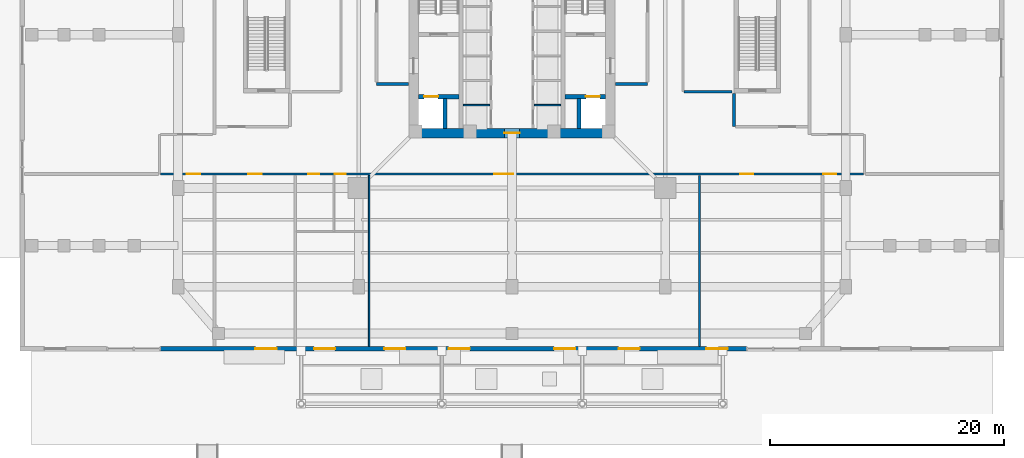
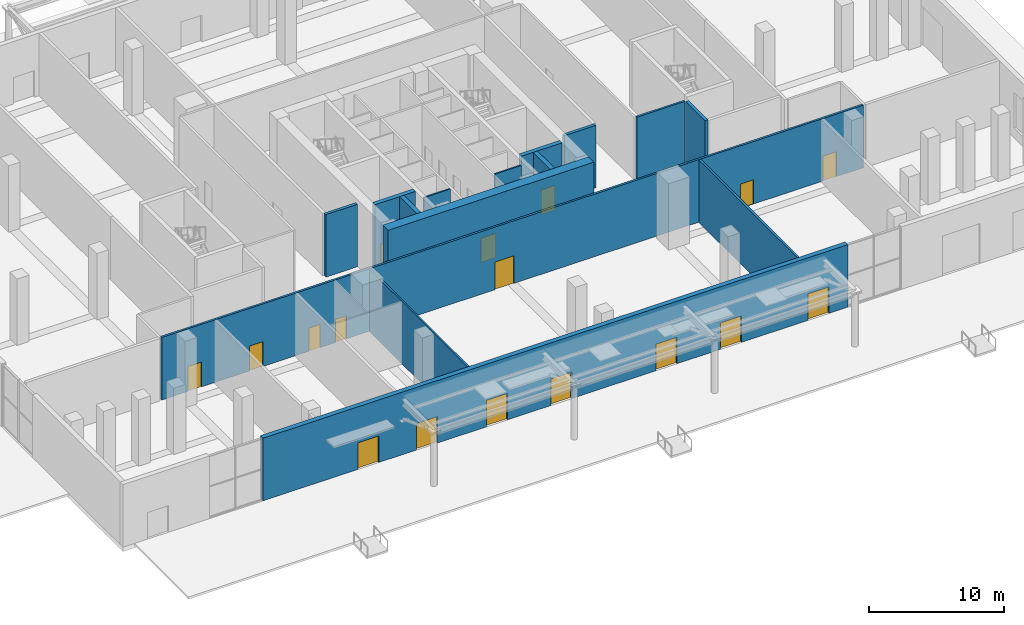
# One storey, part 15 of 25: 17 doors, 15 walls, 17 openings.
"""IFC4 building model written with IfcOpenShell, lengths in metres."""

from ifc_helpers import new_model, si_unit, direction, frame, frame_2d, origin, place, context, subcontext, project, spatial, rectangle, extrude, source, transform, mapped, material, layer, layer_set, type_object, element, fill, save


model = new_model("IFC4")

# Units and contexts
model_context = context("Model", 3, precision=1e-05, world=origin(), true_north=direction((0.0, 1.0)))
body_context = subcontext(model_context, "Body", "Model", "MODEL_VIEW")
ifc_project = project(units=[si_unit("LENGTHUNIT", "METRE"), si_unit("AREAUNIT", "SQUARE_METRE"), si_unit("VOLUMEUNIT", "CUBIC_METRE"), si_unit("PLANEANGLEUNIT", "RADIAN"), si_unit("MASSUNIT", "GRAM", prefix="KILO"), si_unit("THERMODYNAMICTEMPERATUREUNIT", "KELVIN")], contexts=[model_context])

# Site, building, storey
site_placement = place(None, origin())
site = spatial("IfcSite", under=ifc_project, at=site_placement, CompositionType="ELEMENT")
building_placement = place(site_placement, origin())
building = spatial("IfcBuilding", under=site, at=building_placement, Name="Kosmvard Interchange Tower", CompositionType="ELEMENT")
storey_placement = place(building_placement, origin())
storey = spatial("IfcBuildingStorey", under=building, at=storey_placement, Name="L00", CompositionType="ELEMENT", Elevation=0.0)

# Wall, openings, doors
ifc_material_1 = material(Name="Fire-rated gypsum partition system")
ifc_layer_1 = layer(ifc_material_1, 0.179931640625, Name="Fire-rated gypsum partition system")
ifc_layer_set_1 = layer_set([ifc_layer_1], Name="Fire-rated gypsum partition system")
wall_type_1 = type_object("IfcWallType", Name="Corridor & Hotel Compartment Partition 180", PredefinedType="PARTITIONING", material=ifc_layer_set_1)
wall_1_placement = place(storey_placement, frame((-30.0, -11.889892578125, 0.0), z_axis=(0.0, 0.0, 1.0), x_axis=(1.0, 0.0, 0.0)))
wall_1 = element("IfcWall", 1, at=wall_1_placement, inside=storey, type_object=wall_type_1, Name="L00 Partition W-CS", PredefinedType="PARTITIONING", context=body_context, shape_type="SweptSolid", body=[
    extrude(rectangle(XDim=60.0, YDim=0.179931640625, at=frame_2d((30.0, 0.0))), origin(), (0.0, 0.0, 1.0), 5.659912109375),
])
opening_1_placement = place(wall_1_placement, frame((2.25, 0.0, 0.0)))
opening_1 = element("IfcOpeningElement", 2, at=opening_1_placement, cuts=wall_1, Name="Opening L00-D01", PredefinedType="OPENING", context=body_context, shape_type="SweptSolid", body=[
    extrude(rectangle(XDim=1.14990234375, YDim=2.25, at=frame_2d((0.574951171875, 1.125))), frame((0.0, 0.10009765625, 0.0), z_axis=(0.0, -1.0, 0.0), x_axis=(1.0, 0.0, 0.0)), (0.0, 0.0, 1.0), 0.199951171875),
])
opening_2_placement = place(wall_1_placement, frame((7.5, 0.0, 0.0)))
opening_2 = element("IfcOpeningElement", 3, at=opening_2_placement, cuts=wall_1, Name="Opening L00-D02", PredefinedType="OPENING", context=body_context, shape_type="SweptSolid", body=[
    extrude(rectangle(XDim=1.14990234375, YDim=2.25, at=frame_2d((0.574951171875, 1.125))), frame((0.0, 0.10009765625, 0.0), z_axis=(0.0, -1.0, 0.0), x_axis=(1.0, 0.0, 0.0)), (0.0, 0.0, 1.0), 0.199951171875),
])
opening_3_placement = place(wall_1_placement, frame((12.60009765625, 0.0, 0.0)))
opening_3 = element("IfcOpeningElement", 4, at=opening_3_placement, cuts=wall_1, Name="Opening L00-D03", PredefinedType="OPENING", context=body_context, shape_type="SweptSolid", body=[
    extrude(rectangle(XDim=0.949951171875, YDim=2.10009765625, at=frame_2d((0.47509765625, 1.050048828125))), frame((0.0, 0.10009765625, 0.0), z_axis=(0.0, -1.0, 0.0), x_axis=(1.0, 0.0, 0.0)), (0.0, 0.0, 1.0), 0.199951171875),
])
opening_4_placement = place(wall_1_placement, frame((14.85009765625, 0.0, 0.0)))
opening_4 = element("IfcOpeningElement", 5, at=opening_4_placement, cuts=wall_1, Name="Opening L00-D04", PredefinedType="OPENING", context=body_context, shape_type="SweptSolid", body=[
    extrude(rectangle(XDim=0.949951171875, YDim=2.10009765625, at=frame_2d((0.47509765625, 1.050048828125))), frame((0.0, 0.10009765625, 0.0), z_axis=(0.0, -1.0, 0.0), x_axis=(1.0, 0.0, 0.0)), (0.0, 0.0, 1.0), 0.199951171875),
])
opening_5_placement = place(wall_1_placement, frame((28.5, 0.0, 0.0)))
opening_5 = element("IfcOpeningElement", 6, at=opening_5_placement, cuts=wall_1, Name="Opening L00-D05", PredefinedType="OPENING", context=body_context, shape_type="SweptSolid", body=[
    extrude(rectangle(XDim=1.60009765625, YDim=2.5, at=frame_2d((0.800048828125, 1.25))), frame((0.0, 0.10009765625, 0.0), z_axis=(0.0, -1.0, 0.0), x_axis=(1.0, 0.0, 0.0)), (0.0, 0.0, 1.0), 0.199951171875),
])
opening_6_placement = place(wall_1_placement, frame((49.5, 0.0, 0.0)))
opening_6 = element("IfcOpeningElement", 7, at=opening_6_placement, cuts=wall_1, Name="Opening L00-D06", PredefinedType="OPENING", context=body_context, shape_type="SweptSolid", body=[
    extrude(rectangle(XDim=1.10009765625, YDim=2.199951171875, at=frame_2d((0.550048828125, 1.10009765625))), frame((0.0, 0.10009765625, 0.0), z_axis=(0.0, -1.0, 0.0), x_axis=(1.0, 0.0, 0.0)), (0.0, 0.0, 1.0), 0.199951171875),
])
opening_7_placement = place(wall_1_placement, frame((56.550048828125, 0.0, 0.0)))
opening_7 = element("IfcOpeningElement", 8, at=opening_7_placement, cuts=wall_1, Name="Opening L00-D07", PredefinedType="OPENING", context=body_context, shape_type="SweptSolid", body=[
    extrude(rectangle(XDim=1.14990234375, YDim=2.25, at=frame_2d((0.574951171875, 1.125))), frame((0.0, 0.10009765625, 0.0), z_axis=(0.0, -1.0, 0.0), x_axis=(1.0, 0.0, 0.0)), (0.0, 0.0, 1.0), 0.199951171875),
])
ifc_material_2 = material(Name="Painted fire-rated steel leaf", Category="steel")
door_type_1 = type_object("IfcDoorType", Name="Plant & Riser Fire Door 1150x2250 EI60", OperationType="NOTDEFINED", PredefinedType="DOOR", material=ifc_material_2)
shared_shape_1 = source(origin(), body_context, "Body", "SweptSolid", [
    extrude(rectangle(XDim=1.14990234375, YDim=2.25, at=frame_2d((0.574951171875, 1.125))), frame((0.0, 0.02490234375, 0.0), z_axis=(0.0, -1.0, 0.0), x_axis=(1.0, 0.0, 0.0)), (0.0, 0.0, 1.0), 0.050048828125),
])
door_1_placement = place(opening_1_placement, frame((1.14990234375, 0.0, 0.0), z_axis=(0.0, 0.0, 1.0), x_axis=(-1.0, 0.0, 0.0)))
door_1 = element("IfcDoor", 9, at=door_1_placement, inside=storey, type_object=door_type_1, Name="L00 Interior Door 1", OperationType="SINGLE_SWING_LEFT", OverallHeight=2.25, OverallWidth=1.14990234375, PredefinedType="DOOR", context=body_context, shape_type="MappedRepresentation", body=[
    mapped(shared_shape_1, transform((0.0, 0.0, 0.0), scale=1.0)),
])
fill(opening_1, door_1)
door_2_placement = place(opening_2_placement, frame((1.14990234375, 0.0, 0.0), z_axis=(0.0, 0.0, 1.0), x_axis=(-1.0, 0.0, 0.0)))
door_2 = element("IfcDoor", 10, at=door_2_placement, inside=storey, type_object=door_type_1, Name="L00 Interior Door 2", OperationType="SINGLE_SWING_RIGHT", OverallHeight=2.25, OverallWidth=1.14990234375, PredefinedType="DOOR", context=body_context, shape_type="MappedRepresentation", body=[
    mapped(shared_shape_1, transform((0.0, 0.0, 0.0), scale=1.0)),
])
fill(opening_2, door_2)
door_3_placement = place(opening_7_placement, frame((1.14990234375, 0.0, 0.0), z_axis=(0.0, 0.0, 1.0), x_axis=(-1.0, 0.0, 0.0)))
door_3 = element("IfcDoor", 11, at=door_3_placement, inside=storey, type_object=door_type_1, Name="L00 Interior Door 7", OperationType="SINGLE_SWING_LEFT", OverallHeight=2.25, OverallWidth=1.14990234375, PredefinedType="DOOR", context=body_context, shape_type="MappedRepresentation", body=[
    mapped(shared_shape_1, transform((0.0, 0.0, 0.0), scale=1.0)),
])
fill(opening_7, door_3)
ifc_material_3 = material(Name="Laminated moisture-resistant timber", Category="wood")
door_type_2 = type_object("IfcDoorType", Name="Accessible Washroom Door 950x2100", OperationType="NOTDEFINED", PredefinedType="DOOR", material=ifc_material_3)
shared_shape_2 = source(origin(), body_context, "Body", "SweptSolid", [
    extrude(rectangle(XDim=0.949951171875, YDim=2.10009765625, at=frame_2d((0.47509765625, 1.050048828125))), frame((0.0, 0.02490234375, 0.0), z_axis=(0.0, -1.0, 0.0), x_axis=(1.0, 0.0, 0.0)), (0.0, 0.0, 1.0), 0.050048828125),
])
door_4_placement = place(opening_3_placement, frame((0.949951171875, 0.0, 0.0), z_axis=(0.0, 0.0, 1.0), x_axis=(-1.0, 0.0, 0.0)))
door_4 = element("IfcDoor", 12, at=door_4_placement, inside=storey, type_object=door_type_2, Name="L00 Interior Door 3", OperationType="SINGLE_SWING_LEFT", OverallHeight=2.10009765625, OverallWidth=0.949951171875, PredefinedType="DOOR", context=body_context, shape_type="MappedRepresentation", body=[
    mapped(shared_shape_2, transform((0.0, 0.0, 0.0), scale=1.0)),
])
fill(opening_3, door_4)
door_5_placement = place(opening_4_placement, frame((0.949951171875, 0.0, 0.0), z_axis=(0.0, 0.0, 1.0), x_axis=(-1.0, 0.0, 0.0)))
door_5 = element("IfcDoor", 13, at=door_5_placement, inside=storey, type_object=door_type_2, Name="L00 Interior Door 4", OperationType="SINGLE_SWING_RIGHT", OverallHeight=2.10009765625, OverallWidth=0.949951171875, PredefinedType="DOOR", context=body_context, shape_type="MappedRepresentation", body=[
    mapped(shared_shape_2, transform((0.0, 0.0, 0.0), scale=1.0)),
])
fill(opening_4, door_5)
ifc_material_4 = material(Name="Engineered oak fire-rated timber", Category="wood")
door_type_3 = type_object("IfcDoorType", Name="Office Suite Entrance Door 1100x2200 FD30S", OperationType="NOTDEFINED", PredefinedType="DOOR", material=ifc_material_4)
shared_shape_3 = source(origin(), body_context, "Body", "SweptSolid", [
    extrude(rectangle(XDim=1.10009765625, YDim=2.199951171875, at=frame_2d((0.550048828125, 1.10009765625))), frame((0.0, 0.02490234375, 0.0), z_axis=(0.0, -1.0, 0.0), x_axis=(1.0, 0.0, 0.0)), (0.0, 0.0, 1.0), 0.050048828125),
])
door_6_placement = place(opening_6_placement, frame((1.10009765625, 0.0, 0.0), z_axis=(0.0, 0.0, 1.0), x_axis=(-1.0, 0.0, 0.0)))
door_6 = element("IfcDoor", 14, at=door_6_placement, inside=storey, type_object=door_type_3, Name="L00 Interior Door 6", OperationType="SINGLE_SWING_RIGHT", OverallHeight=2.199951171875, OverallWidth=1.10009765625, PredefinedType="DOOR", context=body_context, shape_type="MappedRepresentation", body=[
    mapped(shared_shape_3, transform((0.0, 0.0, 0.0), scale=1.0)),
])
fill(opening_6, door_6)
ifc_material_5 = material(Name="Anodised aluminium and safety glass", Category="aluminium")
door_type_4 = type_object("IfcDoorType", Name="Concourse Entrance Glazed Door 1600x2500", OperationType="NOTDEFINED", PredefinedType="DOOR", material=ifc_material_5)
shared_shape_4 = source(origin(), body_context, "Body", "SweptSolid", [
    extrude(rectangle(XDim=1.60009765625, YDim=2.5, at=frame_2d((0.800048828125, 1.25))), frame((0.0, 0.02490234375, 0.0), z_axis=(0.0, -1.0, 0.0), x_axis=(1.0, 0.0, 0.0)), (0.0, 0.0, 1.0), 0.050048828125),
])
door_7_placement = place(opening_5_placement, frame((1.60009765625, 0.0, 0.0), z_axis=(0.0, 0.0, 1.0), x_axis=(-1.0, 0.0, 0.0)))
door_7 = element("IfcDoor", 15, at=door_7_placement, inside=storey, type_object=door_type_4, Name="L00 Interior Door 5", OperationType="SINGLE_SWING_LEFT", OverallHeight=2.5, OverallWidth=1.60009765625, PredefinedType="DOOR", context=body_context, shape_type="MappedRepresentation", body=[
    mapped(shared_shape_4, transform((0.0, 0.0, 0.0), scale=1.0)),
])
fill(opening_5, door_7)

# Walls
wall_2_placement = place(storey_placement, frame((14.679931640625, -4.860107421875, 0.0), z_axis=(0.0, 0.0, 1.0), x_axis=(1.0, 0.0, 0.0)))
element("IfcWall", 16, at=wall_2_placement, inside=storey, type_object=wall_type_1, Name="L00 Partition W-CNE", PredefinedType="PARTITIONING", context=body_context, shape_type="SweptSolid", body=[
    extrude(rectangle(XDim=4.1201171875, YDim=0.179931640625, at=frame_2d((2.06005859375, 0.0))), origin(), (0.0, 0.0, 1.0), 5.659912109375),
])
wall_3_placement = place(storey_placement, frame((16.0, -26.597900390625, 0.0), z_axis=(0.0, 0.0, 1.0), x_axis=(0.0, 1.0, 0.0)))
element("IfcWall", 17, at=wall_3_placement, inside=storey, type_object=wall_type_1, Name="L00 Partition W-HL1", PredefinedType="PARTITIONING", context=body_context, shape_type="SweptSolid", body=[
    extrude(rectangle(XDim=14.597900390625, YDim=0.179931640625, at=frame_2d((7.298828125, 0.0))), origin(), (0.0, 0.0, 1.0), 5.659912109375),
])
ifc_material_6 = material(Name="Concrete blockwork masonry", Category="masonry")
ifc_layer_2 = layer(ifc_material_6, 0.25, Name="Concrete blockwork masonry")
ifc_layer_set_2 = layer_set([ifc_layer_2], Name="Concrete blockwork masonry")
wall_type_2 = type_object("IfcWallType", Name="Exit Passage & Firefighting Lobby Wall 250", PredefinedType="PARTITIONING", material=ifc_layer_set_2)
for number, where, z_axis, x_axis, name in (
    (18, (-11.550048828125, -4.199951171875, 0.0), (0.0, 0.0, 1.0), (1.0, 0.0, 0.0), "L00 Exit Passageway W Return"),
    (19, (8.85009765625, -4.199951171875, 0.0), (0.0, 0.0, 1.0), (1.0, 0.0, 0.0), "L00 Exit Passageway E Return"),
):
    element("IfcWall", number, at=place(storey_placement, frame(where, z_axis=z_axis, x_axis=x_axis)), inside=storey, type_object=wall_type_2, Name=name, PredefinedType="PARTITIONING", context=body_context, shape_type="SweptSolid", body=[
        extrude(rectangle(XDim=2.699951171875, YDim=0.25, at=frame_2d((1.35009765625, 0.0))), origin(), (0.0, 0.0, 1.0), 5.659912109375),
    ])
wall_4_placement = place(storey_placement, frame((18.9599609375, -7.85009765625, 0.0), z_axis=(0.0, 0.0, 1.0), x_axis=(0.0, 1.0, 0.0)))
element("IfcWall", 20, at=wall_4_placement, inside=storey, type_object=wall_type_2, Name="L00 Partition EP4W1", PredefinedType="PARTITIONING", context=body_context, shape_type="SweptSolid", body=[
    extrude(rectangle(XDim=2.85009765625, YDim=0.25, at=frame_2d((1.425048828125, 0.0))), origin(), (0.0, 0.0, 1.0), 5.659912109375),
])

# Wall, opening, door
ifc_material_7 = material(Name="Concrete C80/95", Category="concrete")
ifc_layer_3 = layer(ifc_material_7, 0.800048828125, Name="Concrete C80/95")
ifc_layer_set_3 = layer_set([ifc_layer_3], Name="Concrete C80/95")
wall_type_3 = type_object("IfcWallType", Name="Lower Core Shear Wall 800 C80/95", PredefinedType="SHEAR", material=ifc_layer_set_3)
wall_5_placement = place(storey_placement, frame((-8.800048828125, -8.39990234375, 0.0), z_axis=(0.0, 0.0, 1.0), x_axis=(1.0, 0.0, 0.0)))
wall_5 = element("IfcWall", 21, at=wall_5_placement, inside=storey, type_object=wall_type_3, Name="L00 Core Shear Wall CW-S", PredefinedType="SHEAR", context=body_context, shape_type="SweptSolid", body=[
    extrude(rectangle(XDim=17.60009765625, YDim=0.800048828125, at=frame_2d((8.800048828125, 0.0))), origin(), (0.0, 0.0, 1.0), 6.0),
])
opening_8_placement = place(wall_5_placement, frame((8.14990234375, 0.0, 0.0)))
opening_8 = element("IfcOpeningElement", 22, at=opening_8_placement, cuts=wall_5, Name="Opening L00-LD0", PredefinedType="OPENING", context=body_context, shape_type="SweptSolid", body=[
    extrude(rectangle(XDim=1.300048828125, YDim=2.199951171875, at=frame_2d((0.64990234375, 1.10009765625))), frame((0.0, 0.41015625, 0.0), z_axis=(0.0, -1.0, 0.0), x_axis=(1.0, 0.0, 0.0)), (0.0, 0.0, 1.0), 0.820068359375),
])
door_type_5 = type_object("IfcDoorType", Name="Firefighting Lobby Door 1300x2200 EI60", OperationType="NOTDEFINED", PredefinedType="DOOR", material=ifc_material_2)
shared_shape_5 = source(origin(), body_context, "Body", "SweptSolid", [
    extrude(rectangle(XDim=1.300048828125, YDim=2.199951171875, at=frame_2d((0.64990234375, 1.10009765625))), frame((0.0, 0.02490234375, 0.0), z_axis=(0.0, -1.0, 0.0), x_axis=(1.0, 0.0, 0.0)), (0.0, 0.0, 1.0), 0.050048828125),
])
door_8_placement = place(opening_8_placement, frame((1.300048828125, 0.0, 0.0), z_axis=(0.0, 0.0, 1.0), x_axis=(-1.0, 0.0, 0.0)))
door_8 = element("IfcDoor", 23, at=door_8_placement, inside=storey, type_object=door_type_5, Name="L00 Passenger Lift Lobby South Door", OperationType="SINGLE_SWING_RIGHT", OverallHeight=2.199951171875, OverallWidth=1.300048828125, PredefinedType="DOOR", context=body_context, shape_type="MappedRepresentation", body=[
    mapped(shared_shape_5, transform((0.0, 0.0, 0.0), scale=1.0)),
])
fill(opening_8, door_8)

# Wall, openings, doors
ifc_material_8 = material(Name="Precast concrete C45/55", Category="concrete")
ifc_layer_4 = layer(ifc_material_8, 0.39990234375, Name="Precast concrete C45/55")
ifc_layer_set_4 = layer_set([ifc_layer_4], Name="Precast concrete C45/55")
wall_type_4 = type_object("IfcWallType", Name="Podium Precast Stone Pier Wall 400 C45/55", PredefinedType="STANDARD", material=ifc_layer_set_4)
wall_6_placement = place(storey_placement, frame((-30.0, -26.800048828125, 0.0), z_axis=(0.0, 0.0, 1.0), x_axis=(1.0, 0.0, 0.0)))
wall_6 = element("IfcWall", 24, at=wall_6_placement, inside=storey, type_object=wall_type_4, Name="L00 Exterior Precast Wall EW-S2", PredefinedType="STANDARD", context=body_context, shape_type="SweptSolid", body=[
    extrude(rectangle(XDim=50.0, YDim=0.39990234375, at=frame_2d((25.0, 0.0))), origin(), (0.0, 0.0, 1.0), 5.659912109375),
])
opening_9_placement = place(wall_6_placement, frame((8.10009765625, 0.0, 0.0)))
opening_9 = element("IfcOpeningElement", 25, at=opening_9_placement, cuts=wall_6, Name="Opening L00-EXS1", PredefinedType="OPENING", context=body_context, shape_type="SweptSolid", body=[
    extrude(rectangle(XDim=1.800048828125, YDim=2.39990234375, at=frame_2d((0.89990234375, 1.199951171875))), frame((0.0, 0.2099609375, 0.0), z_axis=(0.0, -1.0, 0.0), x_axis=(1.0, 0.0, 0.0)), (0.0, 0.0, 1.0), 0.419921875),
])
opening_10_placement = place(wall_6_placement, frame((13.10009765625, 0.0, 0.0)))
opening_10 = element("IfcOpeningElement", 26, at=opening_10_placement, cuts=wall_6, Name="Opening L00-EXS2", PredefinedType="OPENING", context=body_context, shape_type="SweptSolid", body=[
    extrude(rectangle(XDim=1.800048828125, YDim=2.39990234375, at=frame_2d((0.89990234375, 1.199951171875))), frame((0.0, 0.2099609375, 0.0), z_axis=(0.0, -1.0, 0.0), x_axis=(1.0, 0.0, 0.0)), (0.0, 0.0, 1.0), 0.419921875),
])
opening_11_placement = place(wall_6_placement, frame((19.10009765625, 0.0, 0.0)))
opening_11 = element("IfcOpeningElement", 27, at=opening_11_placement, cuts=wall_6, Name="Opening L00-EXS3", PredefinedType="OPENING", context=body_context, shape_type="SweptSolid", body=[
    extrude(rectangle(XDim=1.800048828125, YDim=2.39990234375, at=frame_2d((0.89990234375, 1.199951171875))), frame((0.0, 0.2099609375, 0.0), z_axis=(0.0, -1.0, 0.0), x_axis=(1.0, 0.0, 0.0)), (0.0, 0.0, 1.0), 0.419921875),
])
opening_12_placement = place(wall_6_placement, frame((24.60009765625, 0.0, 0.0)))
opening_12 = element("IfcOpeningElement", 28, at=opening_12_placement, cuts=wall_6, Name="Opening L00-EXS4", PredefinedType="OPENING", context=body_context, shape_type="SweptSolid", body=[
    extrude(rectangle(XDim=1.800048828125, YDim=2.39990234375, at=frame_2d((0.89990234375, 1.199951171875))), frame((0.0, 0.2099609375, 0.0), z_axis=(0.0, -1.0, 0.0), x_axis=(1.0, 0.0, 0.0)), (0.0, 0.0, 1.0), 0.419921875),
])
opening_13_placement = place(wall_6_placement, frame((33.60009765625, 0.0, 0.0)))
opening_13 = element("IfcOpeningElement", 29, at=opening_13_placement, cuts=wall_6, Name="Opening L00-EXS5", PredefinedType="OPENING", context=body_context, shape_type="SweptSolid", body=[
    extrude(rectangle(XDim=1.800048828125, YDim=2.39990234375, at=frame_2d((0.89990234375, 1.199951171875))), frame((0.0, 0.2099609375, 0.0), z_axis=(0.0, -1.0, 0.0), x_axis=(1.0, 0.0, 0.0)), (0.0, 0.0, 1.0), 0.419921875),
])
opening_14_placement = place(wall_6_placement, frame((39.10009765625, 0.0, 0.0)))
opening_14 = element("IfcOpeningElement", 30, at=opening_14_placement, cuts=wall_6, Name="Opening L00-EXS6", PredefinedType="OPENING", context=body_context, shape_type="SweptSolid", body=[
    extrude(rectangle(XDim=1.800048828125, YDim=2.39990234375, at=frame_2d((0.89990234375, 1.199951171875))), frame((0.0, 0.2099609375, 0.0), z_axis=(0.0, -1.0, 0.0), x_axis=(1.0, 0.0, 0.0)), (0.0, 0.0, 1.0), 0.419921875),
])
opening_15_placement = place(wall_6_placement, frame((46.60009765625, 0.0, 0.0)))
opening_15 = element("IfcOpeningElement", 31, at=opening_15_placement, cuts=wall_6, Name="Opening L00-EXS7", PredefinedType="OPENING", context=body_context, shape_type="SweptSolid", body=[
    extrude(rectangle(XDim=1.800048828125, YDim=2.39990234375, at=frame_2d((0.89990234375, 1.199951171875))), frame((0.0, 0.2099609375, 0.0), z_axis=(0.0, -1.0, 0.0), x_axis=(1.0, 0.0, 0.0)), (0.0, 0.0, 1.0), 0.419921875),
])
door_type_6 = type_object("IfcDoorType", Name="Final Exit Discharge Door 1800x2400 FD60S", OperationType="NOTDEFINED", PredefinedType="DOOR", material=ifc_material_5)
shared_shape_6 = source(origin(), body_context, "Body", "SweptSolid", [
    extrude(rectangle(XDim=1.800048828125, YDim=2.39990234375, at=frame_2d((0.89990234375, 1.199951171875))), frame((0.0, 0.02490234375, 0.0), z_axis=(0.0, -1.0, 0.0), x_axis=(1.0, 0.0, 0.0)), (0.0, 0.0, 1.0), 0.050048828125),
])
door_9_placement = place(opening_9_placement, frame((1.800048828125, 0.0, 0.0), z_axis=(0.0, 0.0, 1.0), x_axis=(-1.0, 0.0, 0.0)))
door_9 = element("IfcDoor", 32, at=door_9_placement, inside=storey, type_object=door_type_6, Name="L00 South Final Exit Door 1", OperationType="SINGLE_SWING_RIGHT", OverallHeight=2.39990234375, OverallWidth=1.800048828125, PredefinedType="DOOR", context=body_context, shape_type="MappedRepresentation", body=[
    mapped(shared_shape_6, transform((0.0, 0.0, 0.0), scale=1.0)),
])
fill(opening_9, door_9)
door_10_placement = place(opening_10_placement, frame((1.800048828125, 0.0, 0.0), z_axis=(0.0, 0.0, 1.0), x_axis=(-1.0, 0.0, 0.0)))
door_10 = element("IfcDoor", 33, at=door_10_placement, inside=storey, type_object=door_type_6, Name="L00 South Final Exit Door 2", OperationType="SINGLE_SWING_LEFT", OverallHeight=2.39990234375, OverallWidth=1.800048828125, PredefinedType="DOOR", context=body_context, shape_type="MappedRepresentation", body=[
    mapped(shared_shape_6, transform((0.0, 0.0, 0.0), scale=1.0)),
])
fill(opening_10, door_10)
door_11_placement = place(opening_11_placement, frame((1.800048828125, 0.0, 0.0), z_axis=(0.0, 0.0, 1.0), x_axis=(-1.0, 0.0, 0.0)))
door_11 = element("IfcDoor", 34, at=door_11_placement, inside=storey, type_object=door_type_6, Name="L00 South Final Exit Door 3", OperationType="SINGLE_SWING_RIGHT", OverallHeight=2.39990234375, OverallWidth=1.800048828125, PredefinedType="DOOR", context=body_context, shape_type="MappedRepresentation", body=[
    mapped(shared_shape_6, transform((0.0, 0.0, 0.0), scale=1.0)),
])
fill(opening_11, door_11)
door_12_placement = place(opening_12_placement, frame((1.800048828125, 0.0, 0.0), z_axis=(0.0, 0.0, 1.0), x_axis=(-1.0, 0.0, 0.0)))
door_12 = element("IfcDoor", 35, at=door_12_placement, inside=storey, type_object=door_type_6, Name="L00 South Final Exit Door 4", OperationType="SINGLE_SWING_LEFT", OverallHeight=2.39990234375, OverallWidth=1.800048828125, PredefinedType="DOOR", context=body_context, shape_type="MappedRepresentation", body=[
    mapped(shared_shape_6, transform((0.0, 0.0, 0.0), scale=1.0)),
])
fill(opening_12, door_12)
door_13_placement = place(opening_13_placement, frame((1.800048828125, 0.0, 0.0), z_axis=(0.0, 0.0, 1.0), x_axis=(-1.0, 0.0, 0.0)))
door_13 = element("IfcDoor", 36, at=door_13_placement, inside=storey, type_object=door_type_6, Name="L00 South Final Exit Door 5", OperationType="SINGLE_SWING_RIGHT", OverallHeight=2.39990234375, OverallWidth=1.800048828125, PredefinedType="DOOR", context=body_context, shape_type="MappedRepresentation", body=[
    mapped(shared_shape_6, transform((0.0, 0.0, 0.0), scale=1.0)),
])
fill(opening_13, door_13)
door_14_placement = place(opening_14_placement, frame((1.800048828125, 0.0, 0.0), z_axis=(0.0, 0.0, 1.0), x_axis=(-1.0, 0.0, 0.0)))
door_14 = element("IfcDoor", 37, at=door_14_placement, inside=storey, type_object=door_type_6, Name="L00 South Final Exit Door 6", OperationType="SINGLE_SWING_LEFT", OverallHeight=2.39990234375, OverallWidth=1.800048828125, PredefinedType="DOOR", context=body_context, shape_type="MappedRepresentation", body=[
    mapped(shared_shape_6, transform((0.0, 0.0, 0.0), scale=1.0)),
])
fill(opening_14, door_14)
door_15_placement = place(opening_15_placement, frame((1.800048828125, 0.0, 0.0), z_axis=(0.0, 0.0, 1.0), x_axis=(-1.0, 0.0, 0.0)))
door_15 = element("IfcDoor", 38, at=door_15_placement, inside=storey, type_object=door_type_6, Name="L00 South Final Exit Door 7", OperationType="SINGLE_SWING_RIGHT", OverallHeight=2.39990234375, OverallWidth=1.800048828125, PredefinedType="DOOR", context=body_context, shape_type="MappedRepresentation", body=[
    mapped(shared_shape_6, transform((0.0, 0.0, 0.0), scale=1.0)),
])
fill(opening_15, door_15)

# Walls
ifc_material_9 = material(Name="Fire-rated gypsum shaftwall system")
ifc_layer_5 = layer(ifc_material_9, 0.1201171875, Name="Fire-rated gypsum shaftwall system")
ifc_layer_set_5 = layer_set([ifc_layer_5], Name="Fire-rated gypsum shaftwall system")
wall_type_5 = type_object("IfcWallType", Name="Shaft & Riser Fire Partition 120 EI60", PredefinedType="PARTITIONING", material=ifc_layer_set_5)
for number, where, z_axis, x_axis, name in (
    (39, (-4.159912109375, -6.0, 0.0), (0.0, 0.0, 1.0), (1.0, 0.0, 0.0), "L00 Shaft Divider PL-L1"),
    (40, (1.89990234375, -6.0, 0.0), (0.0, 0.0, 1.0), (1.0, 0.0, 0.0), "L00 Shaft Divider PL-L3"),
):
    element("IfcWall", number, at=place(storey_placement, frame(where, z_axis=z_axis, x_axis=x_axis)), inside=storey, type_object=wall_type_5, Name=name, PredefinedType="PARTITIONING", context=body_context, shape_type="SweptSolid", body=[
        extrude(rectangle(XDim=2.260009765625, YDim=0.1201171875, at=frame_2d((1.1298828125, 0.0))), origin(), (0.0, 0.0, 1.0), 5.659912109375),
    ])

# Wall, opening, door
ifc_material_10 = material(Name="Concrete C60/75", Category="concrete")
ifc_layer_6 = layer(ifc_material_10, 0.360107421875, Name="Concrete C60/75")
ifc_layer_set_6 = layer_set([ifc_layer_6], Name="Concrete C60/75")
wall_type_6 = type_object("IfcWallType", Name="Stair & Lift Shaft Shear Wall 360 C60/75", PredefinedType="SHEAR", material=ifc_layer_set_6)
wall_7_placement = place(storey_placement, frame((-8.0, -5.280029296875, 0.0), z_axis=(0.0, 0.0, 1.0), x_axis=(1.0, 0.0, 0.0)))
wall_7 = element("IfcWall", 41, at=wall_7_placement, inside=storey, type_object=wall_type_6, Name="L00 Shaft Shear Wall SW-FF1", PredefinedType="SHEAR", context=body_context, shape_type="SweptSolid", body=[
    extrude(rectangle(XDim=3.4599609375, YDim=0.360107421875, at=frame_2d((1.72998046875, 0.0))), origin(), (0.0, 0.0, 1.0), 6.0),
])
opening_16_placement = place(wall_7_placement, frame((0.5, 0.0, 0.0)))
opening_16 = element("IfcOpeningElement", 42, at=opening_16_placement, cuts=wall_7, Name="Opening LD-FF-1-L00", PredefinedType="OPENING", context=body_context, shape_type="SweptSolid", body=[
    extrude(rectangle(XDim=1.199951171875, YDim=2.25, at=frame_2d((0.60009765625, 1.125))), frame((0.0, 0.18994140625, 0.0), z_axis=(0.0, -1.0, 0.0), x_axis=(1.0, 0.0, 0.0)), (0.0, 0.0, 1.0), 0.380126953125),
])
ifc_material_11 = material(Name="Brushed stainless steel sliding leaf", Category="steel")
door_type_7 = type_object("IfcDoorType", Name="Firefighting Lift Sliding Landing Door 1200x2250 EI120", OperationType="DOUBLE_DOOR_SLIDING", PredefinedType="DOOR", material=ifc_material_11)
shared_shape_7 = source(origin(), body_context, "Body", "SweptSolid", [
    extrude(rectangle(XDim=1.199951171875, YDim=2.25, at=frame_2d((0.60009765625, 1.125))), frame((0.0, 0.02490234375, 0.0), z_axis=(0.0, -1.0, 0.0), x_axis=(1.0, 0.0, 0.0)), (0.0, 0.0, 1.0), 0.050048828125),
])
door_16_placement = place(opening_16_placement, origin())
door_16 = element("IfcDoor", 43, at=door_16_placement, inside=storey, type_object=door_type_7, Name="Lift FF-1 Landing Door L00", OperationType="DOUBLE_DOOR_SLIDING", OverallHeight=2.25, OverallWidth=1.199951171875, PredefinedType="DOOR", context=body_context, shape_type="MappedRepresentation", body=[
    mapped(shared_shape_7, transform((0.0, 0.0, 0.0), scale=1.0)),
])
fill(opening_16, door_16)

wall_8_placement = place(storey_placement, frame((4.5400390625, -5.280029296875, 0.0), z_axis=(0.0, 0.0, 1.0), x_axis=(1.0, 0.0, 0.0)))
wall_8 = element("IfcWall", 44, at=wall_8_placement, inside=storey, type_object=wall_type_6, Name="L00 Shaft Shear Wall SW-FF2", PredefinedType="SHEAR", context=body_context, shape_type="SweptSolid", body=[
    extrude(rectangle(XDim=3.4599609375, YDim=0.360107421875, at=frame_2d((1.72998046875, 0.0))), origin(), (0.0, 0.0, 1.0), 6.0),
])
opening_17_placement = place(wall_8_placement, frame((1.760009765625, 0.0, 0.0)))
opening_17 = element("IfcOpeningElement", 45, at=opening_17_placement, cuts=wall_8, Name="Opening LD-FF-2-L00", PredefinedType="OPENING", context=body_context, shape_type="SweptSolid", body=[
    extrude(rectangle(XDim=1.199951171875, YDim=2.25, at=frame_2d((0.60009765625, 1.125))), frame((0.0, 0.18994140625, 0.0), z_axis=(0.0, -1.0, 0.0), x_axis=(1.0, 0.0, 0.0)), (0.0, 0.0, 1.0), 0.380126953125),
])
door_17_placement = place(opening_17_placement, origin())
door_17 = element("IfcDoor", 46, at=door_17_placement, inside=storey, type_object=door_type_7, Name="Lift FF-2 Landing Door L00", OperationType="DOUBLE_DOOR_SLIDING", OverallHeight=2.25, OverallWidth=1.199951171875, PredefinedType="DOOR", context=body_context, shape_type="MappedRepresentation", body=[
    mapped(shared_shape_7, transform((0.0, 0.0, 0.0), scale=1.0)),
])
fill(opening_17, door_17)

# Walls
for number, where, z_axis, x_axis, name in (
    (47, (-5.7099609375, -8.0, 0.0), (0.0, 0.0, 1.0), (0.0, 1.0, 0.0), "L00 Shaft Shear Wall SW-SM1"),
    (48, (5.7099609375, -8.0, 0.0), (0.0, 0.0, 1.0), (0.0, 1.0, 0.0), "L00 Shaft Shear Wall SW-SM2"),
):
    element("IfcWall", number, at=place(storey_placement, frame(where, z_axis=z_axis, x_axis=x_axis)), inside=storey, type_object=wall_type_6, Name=name, PredefinedType="SHEAR", context=body_context, shape_type="SweptSolid", body=[
        extrude(rectangle(XDim=2.5400390625, YDim=0.360107421875, at=frame_2d((1.27001953125, 0.0))), origin(), (0.0, 0.0, 1.0), 6.0),
    ])
ifc_material_12 = material(Name="Moisture-resistant gypsum partition")
ifc_layer_7 = layer(ifc_material_12, 0.135009765625, Name="Moisture-resistant gypsum partition")
ifc_layer_set_7 = layer_set([ifc_layer_7], Name="Moisture-resistant gypsum partition")
wall_type_7 = type_object("IfcWallType", Name="Wet Room Moisture-Resistant Partition 135", PredefinedType="PARTITIONING", material=ifc_layer_set_7)
wall_9_placement = place(storey_placement, frame((-12.199951171875, -26.597900390625, 0.0), z_axis=(0.0, 0.0, 1.0), x_axis=(0.0, 1.0, 0.0)))
element("IfcWall", 49, at=wall_9_placement, inside=storey, type_object=wall_type_7, Name="L00 Partition W-WC2", PredefinedType="PARTITIONING", context=body_context, shape_type="SweptSolid", body=[
    extrude(rectangle(XDim=14.597900390625, YDim=0.135009765625, at=frame_2d((7.298828125, 0.0))), origin(), (0.0, 0.0, 1.0), 5.659912109375),
])

save(model, "model.ifc")
